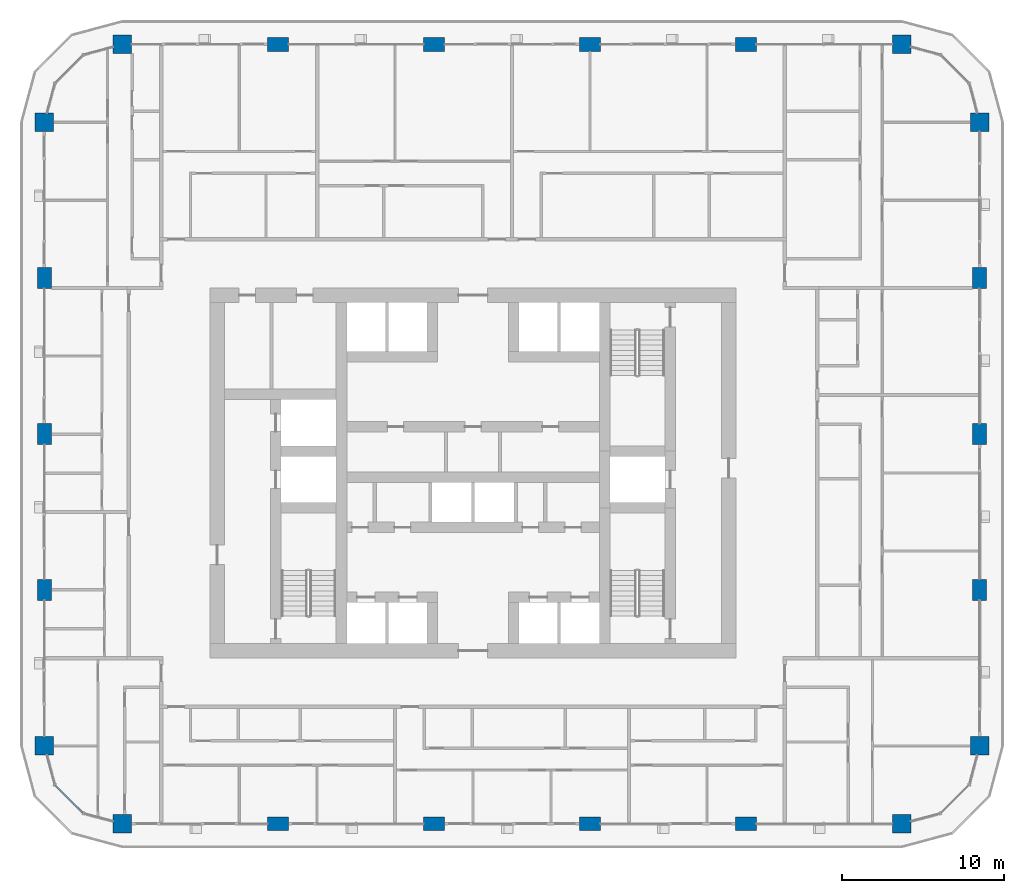
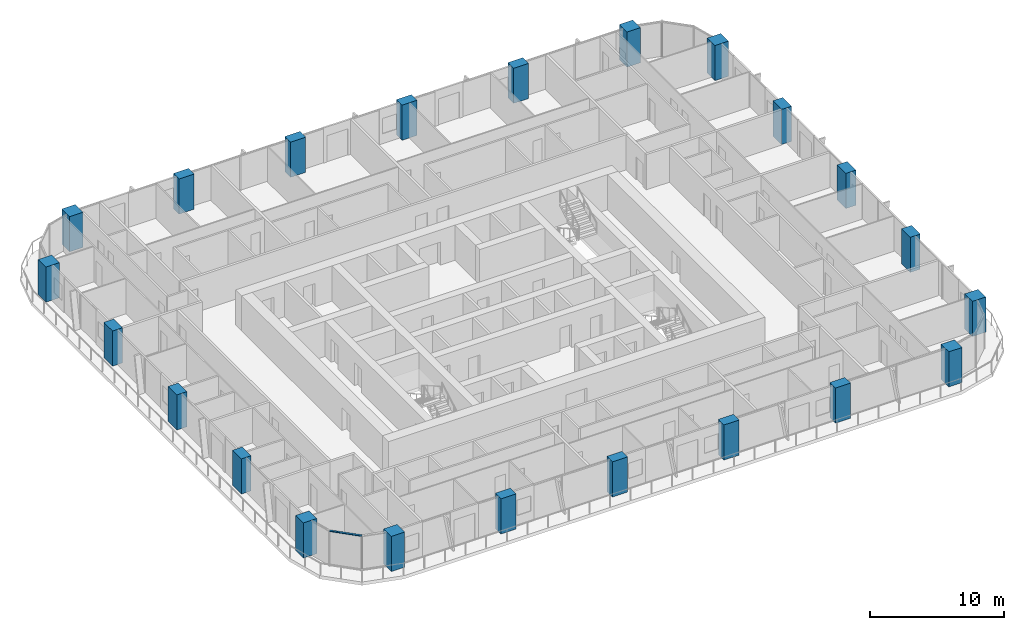
# One storey, part 1 of 22: 22 columns, 1 member, 1 element without a shape of its own.
"""IFC4 building model written with IfcOpenShell, lengths in metres."""

from ifc_helpers import new_model, si_unit, direction, frame, origin, origin_2d, place, context, subcontext, project, spatial, rectangle, extrude, material, layer, layer_set, material_profile, profile_set, type_object, element, aggregate, save


model = new_model("IFC4")

# Units and contexts
model_context = context("Model", 3, precision=1e-05, world=origin(), true_north=direction((0.0, 1.0)))
body_context = subcontext(model_context, "Body", "Model", "MODEL_VIEW")
ifc_project = project(units=[si_unit("LENGTHUNIT", "METRE"), si_unit("AREAUNIT", "SQUARE_METRE"), si_unit("VOLUMEUNIT", "CUBIC_METRE"), si_unit("PLANEANGLEUNIT", "RADIAN"), si_unit("MASSUNIT", "GRAM", prefix="KILO")], contexts=[model_context])

# Site, building, storey
site_placement = place(None, origin())
site = spatial("IfcSite", under=ifc_project, at=site_placement, CompositionType="ELEMENT")
building_placement = place(site_placement, origin())
building = spatial("IfcBuilding", under=site, at=building_placement, Name="Madar Terraces", CompositionType="ELEMENT")
storey_placement = place(building_placement, frame((0.0, 0.0, 99.699951171875)))
storey = spatial("IfcBuildingStorey", under=building, at=storey_placement, Name="L25", CompositionType="ELEMENT", Elevation=99.699951171875)

# Columns
ifc_material_1 = material(Name="Concrete C80/95", Category="concrete")
ifc_material_profile_1 = material_profile(ifc_material_1, rectangle(XDim=1.300048828125, YDim=0.85009765625, at=origin_2d()), Name="CC2 RC 1300x850")
ifc_profile_set_1 = profile_set([ifc_material_profile_1], Name="Concrete C80/95")
column_type_1 = type_object("IfcColumnType", Name="CC2 RC 1300x850", PredefinedType="COLUMN", material=ifc_profile_set_1)
for number, where, z_axis, x_axis, name in (
    (1, (19.199951171875, 4.800048828125, 0.0), (0.0, 0.0, 1.0), (1.0, 0.0, 0.0), "Perimeter column S2"),
    (2, (28.800048828125, 4.800048828125, 0.0), (0.0, 0.0, 1.0), (1.0, 0.0, 0.0), "Perimeter column S3"),
    (3, (38.39990234375, 4.800048828125, 0.0), (0.0, 0.0, 1.0), (1.0, 0.0, 0.0), "Perimeter column S4"),
    (4, (48.0, 4.800048828125, 0.0), (0.0, 0.0, 1.0), (1.0, 0.0, 0.0), "Perimeter column S5"),
    (5, (62.39990234375, 19.199951171875, 0.0), (0.0, 0.0, 1.0), (0.0, 1.0, 0.0), "Perimeter column E2"),
    (6, (62.39990234375, 28.800048828125, 0.0), (0.0, 0.0, 1.0), (0.0, 1.0, 0.0), "Perimeter column E3"),
    (7, (62.39990234375, 38.39990234375, 0.0), (0.0, 0.0, 1.0), (0.0, 1.0, 0.0), "Perimeter column E4"),
    (8, (48.0, 52.800048828125, 0.0), (0.0, 0.0, 1.0), (1.0, 0.0, 0.0), "Perimeter column N2"),
    (9, (38.39990234375, 52.800048828125, 0.0), (0.0, 0.0, 1.0), (1.0, 0.0, 0.0), "Perimeter column N3"),
    (10, (28.800048828125, 52.800048828125, 0.0), (0.0, 0.0, 1.0), (1.0, 0.0, 0.0), "Perimeter column N4"),
    (11, (19.199951171875, 52.800048828125, 0.0), (0.0, 0.0, 1.0), (1.0, 0.0, 0.0), "Perimeter column N5"),
    (12, (4.800048828125, 38.39990234375, 0.0), (0.0, 0.0, 1.0), (0.0, 1.0, 0.0), "Perimeter column W2"),
    (13, (4.800048828125, 28.800048828125, 0.0), (0.0, 0.0, 1.0), (0.0, 1.0, 0.0), "Perimeter column W3"),
    (14, (4.800048828125, 19.199951171875, 0.0), (0.0, 0.0, 1.0), (0.0, 1.0, 0.0), "Perimeter column W4"),
):
    element("IfcColumn", number, at=place(storey_placement, frame(where, z_axis=z_axis, x_axis=x_axis)), inside=storey, type_object=column_type_1, Name=name, PredefinedType="COLUMN", context=body_context, shape_type="SweptSolid", body=[
        extrude(rectangle(XDim=1.300048828125, YDim=0.85009765625, at=origin_2d()), origin(), (0.0, 0.0, 1.0), 3.199951171875),
    ])
ifc_material_2 = material(Name="Concrete C80/95", Category="concrete")
ifc_material_profile_2 = material_profile(ifc_material_2, rectangle(XDim=1.14990234375, YDim=1.14990234375, at=origin_2d()), Name="KC2 RC 1150x1150")
ifc_profile_set_2 = profile_set([ifc_material_profile_2], Name="Concrete C80/95")
column_type_2 = type_object("IfcColumnType", Name="KC2 RC 1150x1150", PredefinedType="COLUMN", material=ifc_profile_set_2)
for number, where, z_axis, x_axis, name in (
    (15, (9.60009765625, 4.800048828125, 0.0), (0.0, 0.0, 1.0), (1.0, 0.0, 0.0), "Perimeter column S1"),
    (16, (57.60009765625, 4.800048828125, 0.0), (0.0, 0.0, 1.0), (1.0, 0.0, 0.0), "Perimeter column S6"),
    (17, (62.39990234375, 9.60009765625, 0.0), (0.0, 0.0, 1.0), (1.0, 0.0, 0.0), "Perimeter column E1"),
    (18, (62.39990234375, 48.0, 0.0), (0.0, 0.0, 1.0), (1.0, 0.0, 0.0), "Perimeter column E5"),
    (19, (57.60009765625, 52.800048828125, 0.0), (0.0, 0.0, 1.0), (1.0, 0.0, 0.0), "Perimeter column N1"),
    (20, (9.60009765625, 52.800048828125, 0.0), (0.0, 0.0, 1.0), (1.0, 0.0, 0.0), "Perimeter column N6"),
    (21, (4.800048828125, 48.0, 0.0), (0.0, 0.0, 1.0), (1.0, 0.0, 0.0), "Perimeter column W1"),
    (22, (4.800048828125, 9.60009765625, 0.0), (0.0, 0.0, 1.0), (1.0, 0.0, 0.0), "Perimeter column W5"),
):
    element("IfcColumn", number, at=place(storey_placement, frame(where, z_axis=z_axis, x_axis=x_axis)), inside=storey, type_object=column_type_2, Name=name, PredefinedType="COLUMN", context=body_context, shape_type="SweptSolid", body=[
        extrude(rectangle(XDim=1.14990234375, YDim=1.14990234375, at=origin_2d()), origin(), (0.0, 0.0, 1.0), 3.199951171875),
    ])

# Curtain wall, member
ifc_material_3 = material(Name="Glass, ceramic frit dark grey, with black aluminium frame", Category="aluminium")
ifc_layer = layer(ifc_material_3, 0.199951171875)
ifc_layer_set = layer_set([ifc_layer], Name="Facade curtain wall, fritted glass")
curtain_wall_type = type_object("IfcCurtainWallType", Name="Facade curtain wall, fritted glass", PredefinedType="NOTDEFINED", material=ifc_layer_set)
curtain_wall_placement = place(storey_placement, origin())
curtain_wall = element("IfcCurtainWall", 23, at=curtain_wall_placement, inside=storey, type_object=curtain_wall_type, Name="Outer skin curtain wall south-west corner", PredefinedType="NOTDEFINED")
ifc_material_4 = material(Name="Aluminium, black anodised", Category="aluminium")
ifc_material_profile_3 = material_profile(ifc_material_4, rectangle(XDim=0.1201171875, YDim=0.06005859375, at=origin_2d()), Name="Facade transom 60x120")
ifc_profile_set_3 = profile_set([ifc_material_profile_3], Name="Aluminium, black anodised")
member_type = type_object("IfcMemberType", Name="Facade transom 60x120", PredefinedType="USERDEFINED", material=ifc_profile_set_3)
member_placement = place(storey_placement, frame((5.46435546875, 7.1787109375, 3.170166015625), z_axis=(0.707106781187, -0.707106781187, 0.0), x_axis=(0.707106781187, 0.707106781187, 0.0)))
member = element("IfcMember", 24, at=member_placement, type_object=member_type, Name="Transom 2", ObjectType="TRANSOM", PredefinedType="USERDEFINED", context=body_context, shape_type="SweptSolid", body=[
    extrude(rectangle(XDim=0.1201171875, YDim=0.06005859375, at=origin_2d()), origin(), (0.0, 0.0, 1.0), 2.424560546875),
])
aggregate(curtain_wall, [member])

save(model, "model.ifc")
